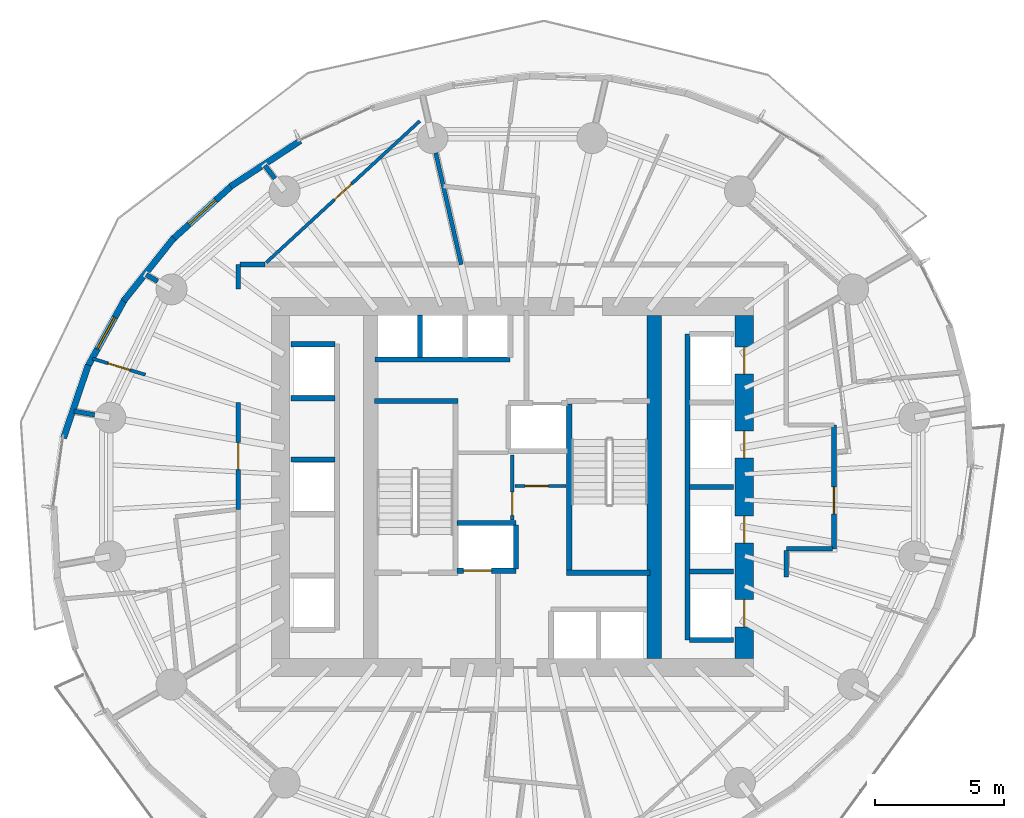
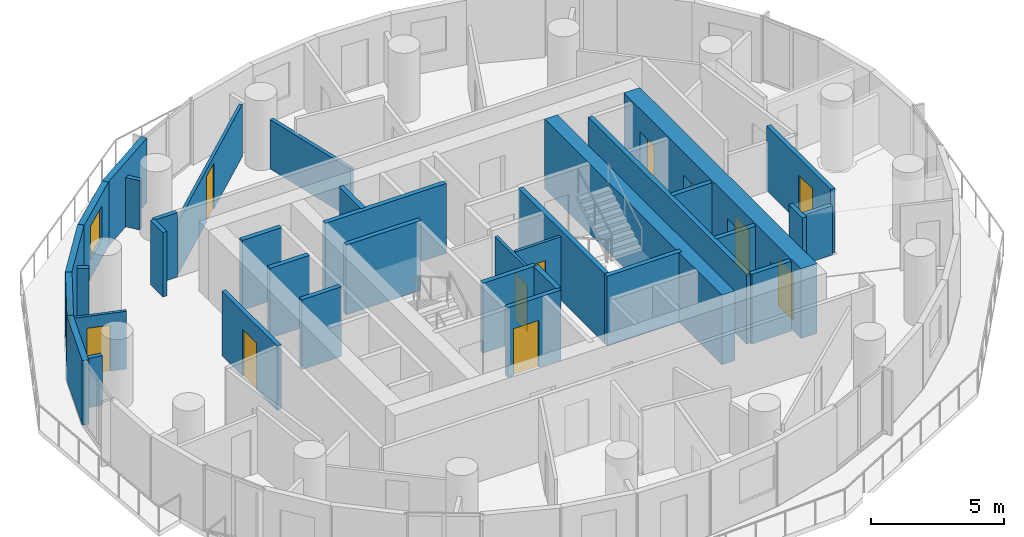
# One storey, part 8 of 14: 36 walls, 11 doors, 2 windows, 13 openings.
"""IFC4 building model written with IfcOpenShell, lengths in metres."""

from ifc_helpers import new_model, si_unit, direction, frame, frame_2d, origin, place, context, subcontext, project, spatial, rectangle, extrude, material, layer, layer_set, type_object, element, fill, save


model = new_model("IFC4")

# Units and contexts
model_context = context("Model", 3, precision=1e-05, world=origin(), true_north=direction((0.0, 1.0)))
body_context = subcontext(model_context, "Body", "Model", "MODEL_VIEW")
ifc_project = project(units=[si_unit("LENGTHUNIT", "METRE"), si_unit("AREAUNIT", "SQUARE_METRE"), si_unit("VOLUMEUNIT", "CUBIC_METRE"), si_unit("PLANEANGLEUNIT", "RADIAN"), si_unit("MASSUNIT", "GRAM", prefix="KILO")], contexts=[model_context])

# Site, building, storey
site_placement = place(None, origin())
site = spatial("IfcSite", under=ifc_project, at=site_placement, CompositionType="ELEMENT")
building_placement = place(site_placement, origin())
building = spatial("IfcBuilding", under=site, at=building_placement, Name="Veldorim Arch Residences", CompositionType="ELEMENT")
storey_placement = place(building_placement, frame((0.0, 0.0, 90.080078125)))
storey = spatial("IfcBuildingStorey", under=building, at=storey_placement, Name="L26", CompositionType="ELEMENT", Elevation=90.080078125)

# Wall, opening, door
ifc_material_1 = material(Name="Acoustic Gypsum Board", Category="gypsum")
ifc_layer_1 = layer(ifc_material_1, 0.125, Name="Acoustic Stud Room Partition Wall 125")
ifc_layer_set_1 = layer_set([ifc_layer_1], Name="Acoustic Gypsum Board")
wall_type_1 = type_object("IfcWallType", Name="Acoustic Stud Room Partition Wall 125", PredefinedType="PARTITIONING", material=ifc_layer_set_1)
wall_1_placement = place(storey_placement, frame((32.0, 22.719970703125, 0.0), z_axis=(0.0, 0.0, 1.0), x_axis=(0.0, 1.0, 0.0)))
wall_1 = element("IfcWall", 1, at=wall_1_placement, inside=storey, type_object=wall_type_1, Name="L26 interior wall WL-CA-L26-1", PredefinedType="PARTITIONING", context=body_context, shape_type="SweptSolid", body=[
    extrude(rectangle(XDim=2.52001953125, YDim=0.125, at=frame_2d((1.260009765625, 0.0))), origin(), (0.0, 0.0, 1.0), 2.954833984375),
])
opening_1_placement = place(wall_1_placement, frame((0.179931640625, 0.0, 0.0)))
opening_1 = element("IfcOpeningElement", 2, at=opening_1_placement, cuts=wall_1, Name="Opening DR-SVC", PredefinedType="OPENING", context=body_context, shape_type="SweptSolid", body=[
    extrude(rectangle(XDim=0.89990234375, YDim=2.10009765625, at=frame_2d((0.449951171875, 1.050048828125))), frame((0.0, 0.072509765625, 0.0), z_axis=(0.0, -1.0, 0.0), x_axis=(1.0, 0.0, 0.0)), (0.0, 0.0, 1.0), 0.14501953125),
])
ifc_material_2 = material(Name="Fire-Rated Steel", Category="steel")
door_type_1 = type_object("IfcDoorType", Name="Riser, Shelter & Plant Room Rated Steel Door 900x2100", OperationType="SINGLE_SWING_LEFT", PredefinedType="DOOR", material=ifc_material_2)
door_1_placement = place(opening_1_placement, origin())
door_1 = element("IfcDoor", 3, at=door_1_placement, inside=storey, type_object=door_type_1, Name="L26 interior door DR-L26-CA2", OperationType="SINGLE_SWING_RIGHT", OverallHeight=2.10009765625, OverallWidth=0.89990234375, PredefinedType="DOOR", context=body_context, shape_type="SweptSolid", body=[
    extrude(rectangle(XDim=0.89990234375, YDim=2.10009765625, at=frame_2d((0.449951171875, 1.050048828125))), frame((0.0, 0.02490234375, 0.0), z_axis=(0.0, -1.0, 0.0), x_axis=(1.0, 0.0, 0.0)), (0.0, 0.0, 1.0), 0.050048828125),
])
fill(opening_1, door_1)

wall_2_placement = place(storey_placement, frame((32.110107421875, 24.0400390625, 0.0), z_axis=(0.0, 0.0, 1.0), x_axis=(1.0, 0.0, 0.0)))
wall_2 = element("IfcWall", 4, at=wall_2_placement, inside=storey, type_object=wall_type_1, Name="L26 interior wall WL-CA-L26-3", PredefinedType="PARTITIONING", context=body_context, shape_type="SweptSolid", body=[
    extrude(rectangle(XDim=1.969970703125, YDim=0.125, at=frame_2d((0.98486328125, 0.0))), origin(), (0.0, 0.0, 1.0), 2.954833984375),
])
opening_2_placement = place(wall_2_placement, frame((0.389892578125, 0.0, 0.0)))
opening_2 = element("IfcOpeningElement", 5, at=opening_2_placement, cuts=wall_2, Name="Opening DR-INT", PredefinedType="OPENING", context=body_context, shape_type="SweptSolid", body=[
    extrude(rectangle(XDim=0.89990234375, YDim=2.10009765625, at=frame_2d((0.449951171875, 1.050048828125))), frame((0.0, 0.072509765625, 0.0), z_axis=(0.0, -1.0, 0.0), x_axis=(1.0, 0.0, 0.0)), (0.0, 0.0, 1.0), 0.14501953125),
])
ifc_material_3 = material(Name="Engineered Timber", Category="wood")
door_type_2 = type_object("IfcDoorType", Name="Apartment Internal Room Timber Door 900x2100", OperationType="SINGLE_SWING_LEFT", PredefinedType="DOOR", material=ifc_material_3)
door_2_placement = place(opening_2_placement, origin())
door_2 = element("IfcDoor", 6, at=door_2_placement, inside=storey, type_object=door_type_2, Name="L26 interior door DR-L26-CA1", OperationType="SINGLE_SWING_LEFT", OverallHeight=2.10009765625, OverallWidth=0.89990234375, PredefinedType="DOOR", context=body_context, shape_type="SweptSolid", body=[
    extrude(rectangle(XDim=0.89990234375, YDim=2.10009765625, at=frame_2d((0.449951171875, 1.050048828125))), frame((0.0, 0.02490234375, 0.0), z_axis=(0.0, -1.0, 0.0), x_axis=(1.0, 0.0, 0.0)), (0.0, 0.0, 1.0), 0.050048828125),
])
fill(opening_2, door_2)

wall_3_placement = place(storey_placement, frame((15.711669921875, 28.982177734375, 0.0), z_axis=(0.0, 0.0, 1.0), x_axis=(0.956248079097, -0.292557022175, 0.0)))
wall_3 = element("IfcWall", 7, at=wall_3_placement, inside=storey, type_object=wall_type_1, Name="L26 interior wall WL-RES-L26-036", PredefinedType="PARTITIONING", context=body_context, shape_type="SweptSolid", body=[
    extrude(rectangle(XDim=2.143798828125, YDim=0.125, at=frame_2d((1.07177734375, 0.0))), origin(), (0.0, 0.0, 1.0), 2.641357421875),
])
opening_3_placement = place(wall_3_placement, frame((0.6220703125, 0.0, 0.0)))
opening_3 = element("IfcOpeningElement", 8, at=opening_3_placement, cuts=wall_3, Name="Opening DR-INT", PredefinedType="OPENING", context=body_context, shape_type="SweptSolid", body=[
    extrude(rectangle(XDim=0.89990234375, YDim=2.10009765625, at=frame_2d((0.449951171875, 1.050048828125))), frame((0.0, 0.072509765625, 0.0), z_axis=(0.0, -1.0, 0.0), x_axis=(1.0, 0.0, 0.0)), (0.0, 0.0, 1.0), 0.14501953125),
])
door_3_placement = place(opening_3_placement, origin())
door_3 = element("IfcDoor", 9, at=door_3_placement, inside=storey, type_object=door_type_2, Name="L26 interior door DR-RES-L26-018", OperationType="SINGLE_SWING_RIGHT", OverallHeight=2.10009765625, OverallWidth=0.89990234375, PredefinedType="DOOR", context=body_context, shape_type="SweptSolid", body=[
    extrude(rectangle(XDim=0.89990234375, YDim=2.10009765625, at=frame_2d((0.449951171875, 1.050048828125))), frame((0.0, 0.02490234375, 0.0), z_axis=(0.0, -1.0, 0.0), x_axis=(1.0, 0.0, 0.0)), (0.0, 0.0, 1.0), 0.050048828125),
])
fill(opening_3, door_3)

wall_4_placement = place(storey_placement, frame((28.408203125, 38.19482421875, 0.0), z_axis=(0.0, 0.0, 1.0), x_axis=(-0.735306461181, -0.677734762386, 0.0)))
wall_4 = element("IfcWall", 10, at=wall_4_placement, inside=storey, type_object=wall_type_1, Name="L26 interior wall WL-RES-L26-039", PredefinedType="PARTITIONING", context=body_context, shape_type="SweptSolid", body=[
    extrude(rectangle(XDim=8.091064453125, YDim=0.125, at=frame_2d((4.04541015625, 0.0))), origin(), (0.0, 0.0, 1.0), 2.4033203125),
])
opening_4_placement = place(wall_4_placement, frame((3.595703125, 0.0, 0.0)))
opening_4 = element("IfcOpeningElement", 11, at=opening_4_placement, cuts=wall_4, Name="Opening DR-INT", PredefinedType="OPENING", context=body_context, shape_type="SweptSolid", body=[
    extrude(rectangle(XDim=0.89990234375, YDim=2.10009765625, at=frame_2d((0.449951171875, 1.050048828125))), frame((0.0, 0.072509765625, 0.0), z_axis=(0.0, -1.0, 0.0), x_axis=(1.0, 0.0, 0.0)), (0.0, 0.0, 1.0), 0.14501953125),
])
door_4_placement = place(opening_4_placement, origin())
door_4 = element("IfcDoor", 12, at=door_4_placement, inside=storey, type_object=door_type_2, Name="L26 interior door DR-RES-L26-019", OperationType="SINGLE_SWING_LEFT", OverallHeight=2.10009765625, OverallWidth=0.89990234375, PredefinedType="DOOR", context=body_context, shape_type="SweptSolid", body=[
    extrude(rectangle(XDim=0.89990234375, YDim=2.10009765625, at=frame_2d((0.449951171875, 1.050048828125))), frame((0.0, 0.02490234375, 0.0), z_axis=(0.0, -1.0, 0.0), x_axis=(1.0, 0.0, 0.0)), (0.0, 0.0, 1.0), 0.050048828125),
])
fill(opening_4, door_4)

# Walls
ifc_material_4 = material(Name="Lightweight Masonry Block & Gypsum", Category="masonry")
ifc_layer_2 = layer(ifc_material_4, 0.179931640625, Name="Compartment & Corridor Fire-Rated Party Wall 180")
ifc_layer_set_2 = layer_set([ifc_layer_2], Name="Lightweight Masonry Block & Gypsum")
wall_type_2 = type_object("IfcWallType", Name="Compartment & Corridor Fire-Rated Party Wall 180", PredefinedType="PARTITIONING", material=ifc_layer_set_2)
wall_5_placement = place(storey_placement, frame((22.7880859375, 35.965576171875, 0.0), z_axis=(0.0, 0.0, 1.0), x_axis=(-0.609970610867, 0.792424036661, 0.0)))
element("IfcWall", 13, at=wall_5_placement, inside=storey, type_object=wall_type_2, Name="L26 interior wall WL-PIER-L26-06", PredefinedType="PARTITIONING", context=body_context, shape_type="SweptSolid", body=[
    extrude(rectangle(XDim=0.635498046875, YDim=0.179931640625, at=frame_2d((0.31787109375, 0.0))), origin(), (0.0, 0.0, 1.0), 2.260498046875),
])
wall_6_placement = place(storey_placement, frame((18.243408203125, 31.977783203125, 0.0), z_axis=(0.0, 0.0, 1.0), x_axis=(-0.864981735625, 0.501803344981, 0.0)))
element("IfcWall", 14, at=wall_6_placement, inside=storey, type_object=wall_type_2, Name="L26 interior wall WL-PIER-L26-07", PredefinedType="PARTITIONING", context=body_context, shape_type="SweptSolid", body=[
    extrude(rectangle(XDim=0.51416015625, YDim=0.179931640625, at=frame_2d((0.257080078125, 0.0))), origin(), (0.0, 0.0, 1.0), 2.260498046875),
])
wall_7_placement = place(storey_placement, frame((15.79443359375, 26.797607421875, 0.0), z_axis=(0.0, 0.0, 1.0), x_axis=(-0.985418430365, 0.170148514822, 0.0)))
element("IfcWall", 15, at=wall_7_placement, inside=storey, type_object=wall_type_2, Name="L26 interior wall WL-PIER-L26-08", PredefinedType="PARTITIONING", context=body_context, shape_type="SweptSolid", body=[
    extrude(rectangle(XDim=0.812255859375, YDim=0.179931640625, at=frame_2d((0.40625, 0.0))), origin(), (0.0, 0.0, 1.0), 2.260498046875),
])

# Wall, opening, door
wall_8_placement = place(storey_placement, frame((44.47998046875, 26.39990234375, 0.0), z_axis=(0.0, 0.0, 1.0), x_axis=(0.0, -1.0, 0.0)))
wall_8 = element("IfcWall", 16, at=wall_8_placement, inside=storey, type_object=wall_type_2, Name="L26 interior wall WL-RES-L26-003", PredefinedType="PARTITIONING", context=body_context, shape_type="SweptSolid", body=[
    extrude(rectangle(XDim=4.7998046875, YDim=0.179931640625, at=frame_2d((2.39990234375, 0.0))), origin(), (0.0, 0.0, 1.0), 2.954833984375),
])
opening_5_placement = place(wall_8_placement, frame((2.39208984375, 0.0, 0.0)))
opening_5 = element("IfcOpeningElement", 17, at=opening_5_placement, cuts=wall_8, Name="Opening DR-FLT", PredefinedType="OPENING", context=body_context, shape_type="SweptSolid", body=[
    extrude(rectangle(XDim=1.050048828125, YDim=2.14990234375, at=frame_2d((0.52490234375, 1.074951171875))), frame((0.0, 0.099853515625, 0.0), z_axis=(0.0, -1.0, 0.0), x_axis=(1.0, 0.0, 0.0)), (0.0, 0.0, 1.0), 0.199951171875),
])
ifc_material_5 = material(Name="Fire-Rated Timber", Category="wood")
door_type_3 = type_object("IfcDoorType", Name="Apartment Entrance Solid-Core Fire Door 1050x2150", OperationType="SINGLE_SWING_LEFT", PredefinedType="DOOR", material=ifc_material_5)
door_5_placement = place(opening_5_placement, origin())
door_5 = element("IfcDoor", 18, at=door_5_placement, inside=storey, type_object=door_type_3, Name="L26 interior door DR-RES-L26-006", OperationType="SINGLE_SWING_RIGHT", OverallHeight=2.14990234375, OverallWidth=1.050048828125, PredefinedType="DOOR", context=body_context, shape_type="SweptSolid", body=[
    extrude(rectangle(XDim=1.050048828125, YDim=2.14990234375, at=frame_2d((0.52490234375, 1.074951171875))), frame((0.0, 0.02490234375, 0.0), z_axis=(0.0, -1.0, 0.0), x_axis=(1.0, 0.0, 0.0)), (0.0, 0.0, 1.0), 0.050048828125),
])
fill(opening_5, door_5)

# Walls
wall_9_placement = place(storey_placement, frame((44.419921875, 21.60009765625, 0.0), z_axis=(0.0, 0.0, 1.0), x_axis=(-1.0, 0.0, 0.0)))
element("IfcWall", 19, at=wall_9_placement, inside=storey, type_object=wall_type_2, Name="L26 interior wall WL-RES-L26-004", PredefinedType="PARTITIONING", context=body_context, shape_type="SweptSolid", body=[
    extrude(rectangle(XDim=1.7900390625, YDim=0.179931640625, at=frame_2d((0.89501953125, 0.0))), origin(), (0.0, 0.0, 1.0), 2.260498046875),
])
wall_10_placement = place(storey_placement, frame((42.6298828125, 21.5400390625, 0.0), z_axis=(0.0, 0.0, 1.0), x_axis=(0.0, -1.0, 0.0)))
element("IfcWall", 20, at=wall_10_placement, inside=storey, type_object=wall_type_2, Name="L26 interior wall WL-RES-L26-005", PredefinedType="PARTITIONING", context=body_context, shape_type="SweptSolid", body=[
    extrude(rectangle(XDim=1.033935546875, YDim=0.179931640625, at=frame_2d((0.51708984375, 0.0))), origin(), (0.0, 0.0, 1.0), 2.954833984375),
])

# Wall, opening, door
wall_11_placement = place(storey_placement, frame((21.3701171875, 23.118408203125, 0.0), z_axis=(0.0, 0.0, 1.0), x_axis=(0.0, 1.0, 0.0)))
wall_11 = element("IfcWall", 21, at=wall_11_placement, inside=storey, type_object=wall_type_2, Name="L26 interior wall WL-RES-L26-011", PredefinedType="PARTITIONING", context=body_context, shape_type="SweptSolid", body=[
    extrude(rectangle(XDim=4.15380859375, YDim=0.179931640625, at=frame_2d((2.076904296875, 0.0))), origin(), (0.0, 0.0, 1.0), 2.954833984375),
])
opening_6_placement = place(wall_11_placement, frame((1.552001953125, 0.0, 0.0)))
opening_6 = element("IfcOpeningElement", 22, at=opening_6_placement, cuts=wall_11, Name="Opening DR-FLT", PredefinedType="OPENING", context=body_context, shape_type="SweptSolid", body=[
    extrude(rectangle(XDim=1.050048828125, YDim=2.14990234375, at=frame_2d((0.52490234375, 1.074951171875))), frame((0.0, 0.099853515625, 0.0), z_axis=(0.0, -1.0, 0.0), x_axis=(1.0, 0.0, 0.0)), (0.0, 0.0, 1.0), 0.199951171875),
])
door_6_placement = place(opening_6_placement, origin())
door_6 = element("IfcDoor", 23, at=door_6_placement, inside=storey, type_object=door_type_3, Name="L26 interior door DR-RES-L26-016", OperationType="SINGLE_SWING_RIGHT", OverallHeight=2.14990234375, OverallWidth=1.050048828125, PredefinedType="DOOR", context=body_context, shape_type="SweptSolid", body=[
    extrude(rectangle(XDim=1.050048828125, YDim=2.14990234375, at=frame_2d((0.52490234375, 1.074951171875))), frame((0.0, 0.02490234375, 0.0), z_axis=(0.0, -1.0, 0.0), x_axis=(1.0, 0.0, 0.0)), (0.0, 0.0, 1.0), 0.050048828125),
])
fill(opening_6, door_6)

# Walls
wall_12_placement = place(storey_placement, frame((21.3701171875, 31.6806640625, 0.0), z_axis=(0.0, 0.0, 1.0), x_axis=(0.0, 1.0, 0.0)))
element("IfcWall", 24, at=wall_12_placement, inside=storey, type_object=wall_type_2, Name="L26 interior wall WL-RES-L26-012", PredefinedType="PARTITIONING", context=body_context, shape_type="SweptSolid", body=[
    extrude(rectangle(XDim=0.94921875, YDim=0.179931640625, at=frame_2d((0.474609375, 0.0))), origin(), (0.0, 0.0, 1.0), 2.954833984375),
])
wall_13_placement = place(storey_placement, frame((21.429931640625, 32.6298828125, 0.0), z_axis=(0.0, 0.0, 1.0), x_axis=(1.0, 0.0, 0.0)))
element("IfcWall", 25, at=wall_13_placement, inside=storey, type_object=wall_type_2, Name="L26 interior wall WL-RES-L26-013", PredefinedType="PARTITIONING", context=body_context, shape_type="SweptSolid", body=[
    extrude(rectangle(XDim=0.969970703125, YDim=0.179931640625, at=frame_2d((0.48486328125, 0.0))), origin(), (0.0, 0.0, 1.0), 2.954833984375),
])
ifc_material_6 = material(Name="Concrete C50/60", Category="concrete")
ifc_layer_3 = layer(ifc_material_6, 0.199951171875, Name="Core Stair & Lift Shaft Enclosure Wall 200")
ifc_layer_set_3 = layer_set([ifc_layer_3], Name="Concrete C50/60")
wall_type_3 = type_object("IfcWallType", Name="Core Stair & Lift Shaft Enclosure Wall 200", PredefinedType="SHEAR", material=ifc_layer_set_3)
wall_14_placement = place(storey_placement, frame((26.64990234375, 27.330078125, 0.0), z_axis=(0.0, 0.0, 1.0), x_axis=(1.0, 0.0, 0.0)))
element("IfcWall", 26, at=wall_14_placement, inside=storey, type_object=wall_type_3, Name="L26 shaft wall WL-SHF-L26-ST1-N", PredefinedType="SHEAR", context=body_context, shape_type="SweptSolid", body=[
    extrude(rectangle(XDim=3.239990234375, YDim=0.199951171875, at=frame_2d((1.6201171875, 0.0))), origin(), (0.0, 0.0, 1.0), 3.199951171875),
])
wall_15_placement = place(storey_placement, frame((34.2099609375, 20.780029296875, 0.0), z_axis=(0.0, 0.0, 1.0), x_axis=(0.0, 1.0, 0.0)))
element("IfcWall", 27, at=wall_15_placement, inside=storey, type_object=wall_type_3, Name="L26 shaft wall WL-SHF-L26-ST2-W", PredefinedType="SHEAR", context=body_context, shape_type="SweptSolid", body=[
    extrude(rectangle(XDim=6.43994140625, YDim=0.199951171875, at=frame_2d((3.219970703125, 0.0))), origin(), (0.0, 0.0, 1.0), 3.199951171875),
])
wall_16_placement = place(storey_placement, frame((34.110107421875, 20.669921875, 0.0), z_axis=(0.0, 0.0, 1.0), x_axis=(1.0, 0.0, 0.0)))
element("IfcWall", 28, at=wall_16_placement, inside=storey, type_object=wall_type_3, Name="L26 shaft wall WL-SHF-L26-ST2-S", PredefinedType="SHEAR", context=body_context, shape_type="SweptSolid", body=[
    extrude(rectangle(XDim=3.239990234375, YDim=0.199951171875, at=frame_2d((1.6201171875, 0.0))), origin(), (0.0, 0.0, 1.0), 3.199951171875),
])

# Wall, opening, door
wall_17_placement = place(storey_placement, frame((29.85009765625, 20.75, 0.0), z_axis=(0.0, 0.0, 1.0), x_axis=(1.0, 0.0, 0.0)))
wall_17 = element("IfcWall", 29, at=wall_17_placement, inside=storey, type_object=wall_type_3, Name="L26 shaft wall WL-FL01-L26-S", PredefinedType="SHEAR", context=body_context, shape_type="SweptSolid", body=[
    extrude(rectangle(XDim=2.2998046875, YDim=0.199951171875, at=frame_2d((1.14990234375, 0.0))), origin(), (0.0, 0.0, 1.0), 3.199951171875),
])
opening_7_placement = place(wall_17_placement, frame((0.25, 0.0, 0.0)))
opening_7 = element("IfcOpeningElement", 30, at=opening_7_placement, cuts=wall_17, Name="Opening LD-FF", PredefinedType="OPENING", context=body_context, shape_type="SweptSolid", body=[
    extrude(rectangle(XDim=1.10009765625, YDim=2.14990234375, at=frame_2d((0.550048828125, 1.074951171875))), frame((0.0, 0.10986328125, 0.0), z_axis=(0.0, -1.0, 0.0), x_axis=(1.0, 0.0, 0.0)), (0.0, 0.0, 1.0), 0.219970703125),
])
ifc_material_7 = material(Name="Stainless Steel", Category="steel")
door_type_4 = type_object("IfcDoorType", Name="Firefighting Lift Bi-Parting Sliding Landing Door 1100x2150", OperationType="DOUBLE_DOOR_SLIDING", PredefinedType="DOOR", material=ifc_material_7)
door_7_placement = place(opening_7_placement, origin())
door_7 = element("IfcDoor", 31, at=door_7_placement, inside=storey, type_object=door_type_4, Name="L26 lift landing door LD-L26-FL01", OperationType="DOUBLE_DOOR_SLIDING", OverallHeight=2.14990234375, OverallWidth=1.10009765625, PredefinedType="DOOR", context=body_context, shape_type="SweptSolid", body=[
    extrude(rectangle(XDim=1.10009765625, YDim=2.14990234375, at=frame_2d((0.550048828125, 1.074951171875))), frame((0.0, 0.02490234375, 0.0), z_axis=(0.0, -1.0, 0.0), x_axis=(1.0, 0.0, 0.0)), (0.0, 0.0, 1.0), 0.050048828125),
])
fill(opening_7, door_7)

# Walls
wall_18_placement = place(storey_placement, frame((29.85009765625, 22.60009765625, 0.0), z_axis=(0.0, 0.0, 1.0), x_axis=(1.0, 0.0, 0.0)))
element("IfcWall", 32, at=wall_18_placement, inside=storey, type_object=wall_type_3, Name="L26 shaft wall WL-FL01-L26-N", PredefinedType="SHEAR", context=body_context, shape_type="SweptSolid", body=[
    extrude(rectangle(XDim=2.2998046875, YDim=0.199951171875, at=frame_2d((1.14990234375, 0.0))), origin(), (0.0, 0.0, 1.0), 3.199951171875),
])
wall_19_placement = place(storey_placement, frame((32.14990234375, 20.820068359375, 0.0), z_axis=(0.0, 0.0, 1.0), x_axis=(0.0, 1.0, 0.0)))
element("IfcWall", 33, at=wall_19_placement, inside=storey, type_object=wall_type_3, Name="L26 shaft wall WL-FL01-L26-E", PredefinedType="SHEAR", context=body_context, shape_type="SweptSolid", body=[
    extrude(rectangle(XDim=1.7099609375, YDim=0.199951171875, at=frame_2d((0.85498046875, 0.0))), origin(), (0.0, 0.0, 1.0), 3.199951171875),
])
wall_20_placement = place(storey_placement, frame((38.800048828125, 18.06005859375, 0.0), z_axis=(0.0, 0.0, 1.0), x_axis=(0.0, 1.0, 0.0)))
element("IfcWall", 34, at=wall_20_placement, inside=storey, type_object=wall_type_3, Name="L26 shaft wall WL-B1-L26-W", PredefinedType="SHEAR", context=body_context, shape_type="SweptSolid", body=[
    extrude(rectangle(XDim=11.8798828125, YDim=0.199951171875, at=frame_2d((5.93994140625, 0.0))), origin(), (0.0, 0.0, 1.0), 3.199951171875),
])
for number, where, z_axis, x_axis, name in (
    (35, (38.8701171875, 18.06005859375, 0.0), (0.0, 0.0, 1.0), (1.0, 0.0, 0.0), "L26 shaft wall WL-B1-L26-S"),
    (36, (38.8701171875, 20.72509765625, 0.0), (0.0, 0.0, 1.0), (1.0, 0.0, 0.0), "L26 shaft wall WL-B1-L26-D1"),
    (37, (38.8701171875, 24.0, 0.0), (0.0, 0.0, 1.0), (1.0, 0.0, 0.0), "L26 shaft wall WL-B1-L26-D2"),
    (38, (23.419921875, 29.5400390625, 0.0), (0.0, 0.0, 1.0), (1.0, 0.0, 0.0), "L26 shaft wall WL-B2-L26-N"),
    (39, (23.419921875, 25.06005859375, 0.0), (0.0, 0.0, 1.0), (1.0, 0.0, 0.0), "L26 shaft wall WL-B2-L26-D2A"),
    (40, (23.419921875, 27.43994140625, 0.0), (0.0, 0.0, 1.0), (1.0, 0.0, 0.0), "L26 shaft wall WL-B2-L26-D2B"),
):
    element("IfcWall", number, at=place(storey_placement, frame(where, z_axis=z_axis, x_axis=x_axis)), inside=storey, type_object=wall_type_3, Name=name, PredefinedType="SHEAR", context=body_context, shape_type="SweptSolid", body=[
        extrude(rectangle(XDim=1.7099609375, YDim=0.199951171875, at=frame_2d((0.85498046875, 0.0))), origin(), (0.0, 0.0, 1.0), 3.199951171875),
    ])
wall_21_placement = place(storey_placement, frame((26.679931640625, 28.949951171875, 0.0), z_axis=(0.0, 0.0, 1.0), x_axis=(1.0, 0.0, 0.0)))
element("IfcWall", 41, at=wall_21_placement, inside=storey, type_object=wall_type_3, Name="L26 shaft wall WL-B3-L26-S", PredefinedType="SHEAR", context=body_context, shape_type="SweptSolid", body=[
    extrude(rectangle(XDim=5.239990234375, YDim=0.199951171875, at=frame_2d((2.6201171875, 0.0))), origin(), (0.0, 0.0, 1.0), 3.199951171875),
])
wall_22_placement = place(storey_placement, frame((28.425048828125, 29.02001953125, 0.0), z_axis=(0.0, 0.0, 1.0), x_axis=(0.0, 1.0, 0.0)))
element("IfcWall", 42, at=wall_22_placement, inside=storey, type_object=wall_type_3, Name="L26 shaft wall WL-B3-L26-D1", PredefinedType="SHEAR", context=body_context, shape_type="SweptSolid", body=[
    extrude(rectangle(XDim=1.659912109375, YDim=0.199951171875, at=frame_2d((0.830078125, 0.0))), origin(), (0.0, 0.0, 1.0), 3.199951171875),
])
ifc_material_8 = material(Name="Concrete C60/75", Category="concrete")
ifc_layer_4 = layer(ifc_material_8, 0.56005859375, Name="Internal Core Shear Web Wall 560")
ifc_layer_set_4 = layer_set([ifc_layer_4], Name="Concrete C60/75")
wall_type_4 = type_object("IfcWallType", Name="Internal Core Shear Web Wall 560", PredefinedType="SHEAR", material=ifc_layer_set_4)
wall_23_placement = place(storey_placement, frame((37.5, 17.35009765625, 0.0), z_axis=(0.0, 0.0, 1.0), x_axis=(0.0, 1.0, 0.0)))
element("IfcWall", 43, at=wall_23_placement, inside=storey, type_object=wall_type_4, Name="L26 core east internal shear web", PredefinedType="SHEAR", context=body_context, shape_type="SweptSolid", body=[
    extrude(rectangle(XDim=13.2998046875, YDim=0.56005859375, at=frame_2d((6.64990234375, 0.0))), origin(), (0.0, 0.0, 1.0), 3.199951171875),
])

# Wall, openings, doors
ifc_material_9 = material(Name="Concrete C60/75", Category="concrete")
ifc_layer_5 = layer(ifc_material_9, 0.699951171875, Name="Mid-Lower Central Core Shear Wall 700")
ifc_layer_set_5 = layer_set([ifc_layer_5], Name="Concrete C60/75")
wall_type_5 = type_object("IfcWallType", Name="Mid-Lower Central Core Shear Wall 700", PredefinedType="SHEAR", material=ifc_layer_set_5)
wall_24_placement = place(storey_placement, frame((41.0, 17.35009765625, 0.0), z_axis=(0.0, 0.0, 1.0), x_axis=(0.0, 1.0, 0.0)))
wall_24 = element("IfcWall", 44, at=wall_24_placement, inside=storey, type_object=wall_type_5, Name="L26 central core east shear wall", PredefinedType="SHEAR", context=body_context, shape_type="SweptSolid", body=[
    extrude(rectangle(XDim=13.2998046875, YDim=0.699951171875, at=frame_2d((6.64990234375, 0.0))), origin(), (0.0, 0.0, 1.0), 3.199951171875),
])
opening_8_placement = place(wall_24_placement, frame((1.22509765625, 0.0, 0.0)))
opening_8 = element("IfcOpeningElement", 45, at=opening_8_placement, cuts=wall_24, Name="Opening LD-PS", PredefinedType="OPENING", context=body_context, shape_type="SweptSolid", body=[
    extrude(rectangle(XDim=1.050048828125, YDim=2.14990234375, at=frame_2d((0.52490234375, 1.074951171875))), frame((0.0, 0.35986328125, 0.0), z_axis=(0.0, -1.0, 0.0), x_axis=(1.0, 0.0, 0.0)), (0.0, 0.0, 1.0), 0.719970703125),
])
opening_9_placement = place(wall_24_placement, frame((4.47509765625, 0.0, 0.0)))
opening_9 = element("IfcOpeningElement", 46, at=opening_9_placement, cuts=wall_24, Name="Opening LD-PS", PredefinedType="OPENING", context=body_context, shape_type="SweptSolid", body=[
    extrude(rectangle(XDim=1.050048828125, YDim=2.14990234375, at=frame_2d((0.52490234375, 1.074951171875))), frame((0.0, 0.35986328125, 0.0), z_axis=(0.0, -1.0, 0.0), x_axis=(1.0, 0.0, 0.0)), (0.0, 0.0, 1.0), 0.719970703125),
])
opening_10_placement = place(wall_24_placement, frame((7.77490234375, 0.0, 0.0)))
opening_10 = element("IfcOpeningElement", 47, at=opening_10_placement, cuts=wall_24, Name="Opening LD-PS", PredefinedType="OPENING", context=body_context, shape_type="SweptSolid", body=[
    extrude(rectangle(XDim=1.050048828125, YDim=2.14990234375, at=frame_2d((0.52490234375, 1.074951171875))), frame((0.0, 0.35986328125, 0.0), z_axis=(0.0, -1.0, 0.0), x_axis=(1.0, 0.0, 0.0)), (0.0, 0.0, 1.0), 0.719970703125),
])
opening_11_placement = place(wall_24_placement, frame((11.02490234375, 0.0, 0.0)))
opening_11 = element("IfcOpeningElement", 48, at=opening_11_placement, cuts=wall_24, Name="Opening LD-PS", PredefinedType="OPENING", context=body_context, shape_type="SweptSolid", body=[
    extrude(rectangle(XDim=1.050048828125, YDim=2.14990234375, at=frame_2d((0.52490234375, 1.074951171875))), frame((0.0, 0.35986328125, 0.0), z_axis=(0.0, -1.0, 0.0), x_axis=(1.0, 0.0, 0.0)), (0.0, 0.0, 1.0), 0.719970703125),
])
ifc_material_10 = material(Name="Stainless Steel", Category="steel")
door_type_5 = type_object("IfcDoorType", Name="Passenger Lift Bi-Parting Sliding Landing Door 1050x2150", OperationType="DOUBLE_DOOR_SLIDING", PredefinedType="DOOR", material=ifc_material_10)
door_8_placement = place(opening_8_placement, origin())
door_8 = element("IfcDoor", 49, at=door_8_placement, inside=storey, type_object=door_type_5, Name="L26 lift landing door LD-L26-PL-01", OperationType="DOUBLE_DOOR_SLIDING", OverallHeight=2.14990234375, OverallWidth=1.050048828125, PredefinedType="DOOR", context=body_context, shape_type="SweptSolid", body=[
    extrude(rectangle(XDim=1.050048828125, YDim=2.14990234375, at=frame_2d((0.52490234375, 1.074951171875))), frame((0.0, 0.02490234375, 0.0), z_axis=(0.0, -1.0, 0.0), x_axis=(1.0, 0.0, 0.0)), (0.0, 0.0, 1.0), 0.050048828125),
])
fill(opening_8, door_8)
door_9_placement = place(opening_9_placement, origin())
door_9 = element("IfcDoor", 50, at=door_9_placement, inside=storey, type_object=door_type_5, Name="L26 lift landing door LD-L26-PL-02", OperationType="DOUBLE_DOOR_SLIDING", OverallHeight=2.14990234375, OverallWidth=1.050048828125, PredefinedType="DOOR", context=body_context, shape_type="SweptSolid", body=[
    extrude(rectangle(XDim=1.050048828125, YDim=2.14990234375, at=frame_2d((0.52490234375, 1.074951171875))), frame((0.0, 0.02490234375, 0.0), z_axis=(0.0, -1.0, 0.0), x_axis=(1.0, 0.0, 0.0)), (0.0, 0.0, 1.0), 0.050048828125),
])
fill(opening_9, door_9)
door_10_placement = place(opening_10_placement, origin())
door_10 = element("IfcDoor", 51, at=door_10_placement, inside=storey, type_object=door_type_5, Name="L26 lift landing door LD-L26-PL-03", OperationType="DOUBLE_DOOR_SLIDING", OverallHeight=2.14990234375, OverallWidth=1.050048828125, PredefinedType="DOOR", context=body_context, shape_type="SweptSolid", body=[
    extrude(rectangle(XDim=1.050048828125, YDim=2.14990234375, at=frame_2d((0.52490234375, 1.074951171875))), frame((0.0, 0.02490234375, 0.0), z_axis=(0.0, -1.0, 0.0), x_axis=(1.0, 0.0, 0.0)), (0.0, 0.0, 1.0), 0.050048828125),
])
fill(opening_10, door_10)
door_11_placement = place(opening_11_placement, origin())
door_11 = element("IfcDoor", 52, at=door_11_placement, inside=storey, type_object=door_type_5, Name="L26 lift landing door LD-L26-PL-04", OperationType="DOUBLE_DOOR_SLIDING", OverallHeight=2.14990234375, OverallWidth=1.050048828125, PredefinedType="DOOR", context=body_context, shape_type="SweptSolid", body=[
    extrude(rectangle(XDim=1.050048828125, YDim=2.14990234375, at=frame_2d((0.52490234375, 1.074951171875))), frame((0.0, 0.02490234375, 0.0), z_axis=(0.0, -1.0, 0.0), x_axis=(1.0, 0.0, 0.0)), (0.0, 0.0, 1.0), 0.050048828125),
])
fill(opening_11, door_11)

# Wall
ifc_material_11 = material(Name="Precast concrete C40/50", Category="concrete")
ifc_layer_6 = layer(ifc_material_11, 0.25, Name="Tower Terracotta Spandrel & Pier Wall 250")
ifc_layer_set_6 = layer_set([ifc_layer_6], Name="Precast concrete C40/50")
wall_type_6 = type_object("IfcWallType", Name="Tower Terracotta Spandrel & Pier Wall 250", PredefinedType="SOLIDWALL", material=ifc_layer_set_6)
wall_25_placement = place(storey_placement, frame((21.070556640625, 35.6630859375, 0.0), z_axis=(0.0, 0.0, 1.0), x_axis=(0.836273856728, 0.548311988336, 0.0)))
element("IfcWall", 53, at=wall_25_placement, inside=storey, type_object=wall_type_6, Name="L26 terracotta facade wall 11", PredefinedType="SOLIDWALL", context=body_context, shape_type="SweptSolid", body=[
    extrude(rectangle(XDim=3.236083984375, YDim=0.25, at=frame_2d((1.6181640625, 0.0))), origin(), (0.0, 0.0, 1.0), 2.9599609375),
])

# Wall, opening, window
wall_26_placement = place(storey_placement, frame((18.792236328125, 33.585693359375, 0.0), z_axis=(0.0, 0.0, 1.0), x_axis=(0.740832321657, 0.671690011232, 0.0)))
wall_26 = element("IfcWall", 54, at=wall_26_placement, inside=storey, type_object=wall_type_6, Name="L26 terracotta facade wall 12", PredefinedType="SOLIDWALL", context=body_context, shape_type="SweptSolid", body=[
    extrude(rectangle(XDim=3.19189453125, YDim=0.25, at=frame_2d((1.595947265625, 0.0))), origin(), (0.0, 0.0, 1.0), 2.9599609375),
])
opening_12_placement = place(wall_26_placement, frame((0.89599609375, 0.0, 0.85009765625)))
opening_12 = element("IfcOpeningElement", 55, at=opening_12_placement, cuts=wall_26, Name="Opening WN-02", PredefinedType="OPENING", context=body_context, shape_type="SweptSolid", body=[
    extrude(rectangle(XDim=1.39990234375, YDim=1.550048828125, at=frame_2d((0.699951171875, 0.77490234375))), frame((0.0, 0.135009765625, 0.0), z_axis=(0.0, -1.0, 0.0), x_axis=(1.0, 0.0, 0.0)), (0.0, 0.0, 1.0), 0.27001953125),
])
ifc_material_12 = material(Name="Laminated Low-E Glass", Category="glass")
window_type = type_object("IfcWindowType", Name="Residential Casement Window 1400x1550", PartitioningType="SINGLE_PANEL", PredefinedType="WINDOW", material=ifc_material_12)
window_1_placement = place(opening_12_placement, origin())
window_1 = element("IfcWindow", 56, at=window_1_placement, inside=storey, type_object=window_type, Name="L26 solar-control facade window 12", OverallHeight=1.550048828125, OverallWidth=1.39990234375, PartitioningType="SINGLE_PANEL", PredefinedType="WINDOW", context=body_context, shape_type="SweptSolid", body=[
    extrude(rectangle(XDim=1.39990234375, YDim=1.550048828125, at=frame_2d((0.699951171875, 0.77490234375))), frame((0.0, 0.030029296875, 0.0), z_axis=(0.0, -1.0, 0.0), x_axis=(1.0, 0.0, 0.0)), (0.0, 0.0, 1.0), 0.06005859375),
])
fill(opening_12, window_1)

# Wall
wall_27_placement = place(storey_placement, frame((16.916259765625, 31.217041015625, 0.0), z_axis=(0.0, 0.0, 1.0), x_axis=(0.623134406496, 0.782114768714, 0.0)))
element("IfcWall", 57, at=wall_27_placement, inside=storey, type_object=wall_type_6, Name="L26 terracotta facade wall 13", PredefinedType="SOLIDWALL", context=body_context, shape_type="SweptSolid", body=[
    extrude(rectangle(XDim=3.131103515625, YDim=0.25, at=frame_2d((1.5654296875, 0.0))), origin(), (0.0, 0.0, 1.0), 2.9599609375),
])

# Wall, opening, window
wall_28_placement = place(storey_placement, frame((15.499755859375, 28.62890625, 0.0), z_axis=(0.0, 0.0, 1.0), x_axis=(0.482904421948, 0.875673066426, 0.0)))
wall_28 = element("IfcWall", 58, at=wall_28_placement, inside=storey, type_object=wall_type_6, Name="L26 terracotta facade wall 14", PredefinedType="SOLIDWALL", context=body_context, shape_type="SweptSolid", body=[
    extrude(rectangle(XDim=3.060791015625, YDim=0.25, at=frame_2d((1.5302734375, 0.0))), origin(), (0.0, 0.0, 1.0), 2.9599609375),
])
opening_13_placement = place(wall_28_placement, frame((0.830078125, 0.0, 0.85009765625)))
opening_13 = element("IfcOpeningElement", 59, at=opening_13_placement, cuts=wall_28, Name="Opening WN-02", PredefinedType="OPENING", context=body_context, shape_type="SweptSolid", body=[
    extrude(rectangle(XDim=1.39990234375, YDim=1.550048828125, at=frame_2d((0.699951171875, 0.77490234375))), frame((0.0, 0.135009765625, 0.0), z_axis=(0.0, -1.0, 0.0), x_axis=(1.0, 0.0, 0.0)), (0.0, 0.0, 1.0), 0.27001953125),
])
window_2_placement = place(opening_13_placement, origin())
window_2 = element("IfcWindow", 60, at=window_2_placement, inside=storey, type_object=window_type, Name="L26 solar-control facade window 14", OverallHeight=1.550048828125, OverallWidth=1.39990234375, PartitioningType="SINGLE_PANEL", PredefinedType="WINDOW", context=body_context, shape_type="SweptSolid", body=[
    extrude(rectangle(XDim=1.39990234375, YDim=1.550048828125, at=frame_2d((0.699951171875, 0.77490234375))), frame((0.0, 0.030029296875, 0.0), z_axis=(0.0, -1.0, 0.0), x_axis=(1.0, 0.0, 0.0)), (0.0, 0.0, 1.0), 0.06005859375),
])
fill(opening_13, window_2)

# Walls
wall_29_placement = place(storey_placement, frame((14.585205078125, 25.901123046875, 0.0), z_axis=(0.0, 0.0, 1.0), x_axis=(0.321149814784, 0.947028403198, 0.0)))
element("IfcWall", 61, at=wall_29_placement, inside=storey, type_object=wall_type_6, Name="L26 terracotta facade wall 15", PredefinedType="SOLIDWALL", context=body_context, shape_type="SweptSolid", body=[
    extrude(rectangle(XDim=2.98828125, YDim=0.25, at=frame_2d((1.494140625, 0.0))), origin(), (0.0, 0.0, 1.0), 2.9599609375),
])
ifc_material_13 = material(Name="Moisture-Resistant Gypsum & Stud", Category="gypsum")
ifc_layer_7 = layer(ifc_material_13, 0.159912109375, Name="Wet-Area Moisture-Resistant Plumbing Wall 160")
ifc_layer_set_7 = layer_set([ifc_layer_7], Name="Moisture-Resistant Gypsum & Stud")
wall_type_7 = type_object("IfcWallType", Name="Wet-Area Moisture-Resistant Plumbing Wall 160", PredefinedType="PLUMBINGWALL", material=ifc_layer_set_7)
wall_30_placement = place(storey_placement, frame((30.02197265625, 32.6298828125, 0.0), z_axis=(0.0, 0.0, 1.0), x_axis=(-0.223321757884, 0.974744783241, 0.0)))
element("IfcWall", 62, at=wall_30_placement, inside=storey, type_object=wall_type_7, Name="L26 interior wall WL-RES-L26-032", PredefinedType="PLUMBINGWALL", context=body_context, shape_type="SweptSolid", body=[
    extrude(rectangle(XDim=4.441650390625, YDim=0.159912109375, at=frame_2d((2.220703125, 0.0))), origin(), (0.0, 0.0, 1.0), 2.260498046875),
])

save(model, "model.ifc")
